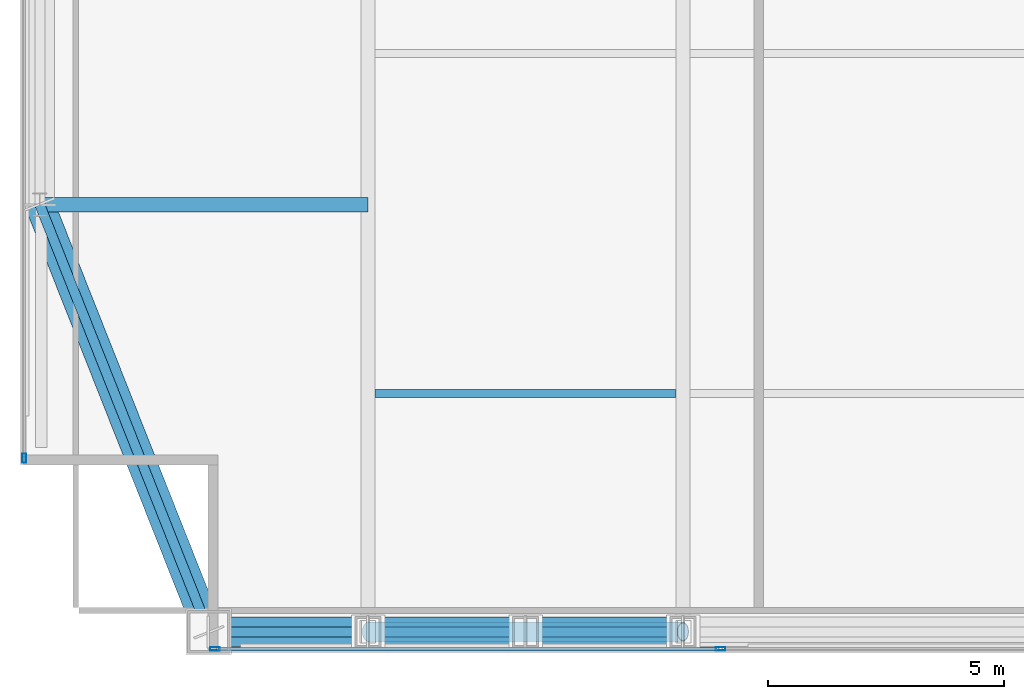
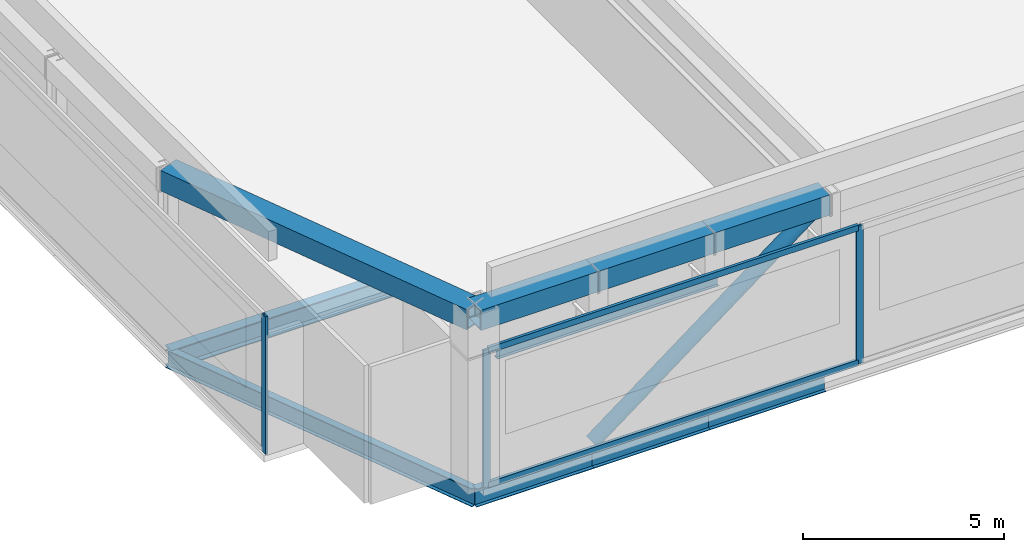
# One storey, part 4 of 24: 10 beams, 6 members, 2 elements without a shape of their own.
"""IFC4 building model written with IfcOpenShell, lengths in metres."""

import ifcopenshell
import ifcopenshell.guid

model = None  # the IFC model being written
_history = None  # IfcOwnerHistory: only IFC2X3 demands one
_inside = {}  # id of a spatial element -> (the spatial element, [elements in it])
_under = {}  # id of a project, library or spatial element -> (it, [spatial elements below it])
_declared = {}  # id of a project -> (the project, [libraries it declares])
_typed = {}  # id of a type object -> (the type object, [elements of that type])
_made_of = {}  # id of a material, layer set ... -> (it, [elements and type objects made of it])


def new_model(schema):
    """Start an empty IFC model of exactly this schema.

    Asked for "IFC4X3", IfcOpenShell would pick the latest addendum, in which some entities
    have other attributes; the version numbers below select the first issue.
    IFC2X3 requires an IfcOwnerHistory on every rooted entity: one is made here for all.
    """
    global model, _history
    if schema == "IFC4X3":
        model = ifcopenshell.file(schema_version=(4, 3, 0, 0))
    else:
        model = ifcopenshell.file(schema=schema)
    _inside.clear()
    _under.clear()
    _declared.clear()
    _typed.clear()
    _made_of.clear()
    _history = None
    if model.schema == "IFC2X3":
        org = make("IfcOrganization", Name="unknown")
        user = make(
            "IfcPersonAndOrganization",
            ThePerson=make("IfcPerson", FamilyName="unknown"),
            TheOrganization=org,
        )
        app = make(
            "IfcApplication",
            ApplicationDeveloper=org,
            Version="unknown",
            ApplicationFullName="unknown",
            ApplicationIdentifier="unknown",
        )
        _history = make(
            "IfcOwnerHistory",
            OwningUser=user,
            OwningApplication=app,
            ChangeAction="ADDED",
            CreationDate=0,
        )
    return model


def make(cls, **values):
    """One entity of the class cls with the attributes given. An attribute that is None is left unset."""
    return model.create_entity(
        cls, **{name: value for name, value in values.items() if value is not None}
    )


def rooted(cls, **values):
    """An entity with a GlobalId (a new one), such as an element, a storey or a relation."""
    return make(cls, GlobalId=ifcopenshell.guid.new(), OwnerHistory=_history, **values)


def si_unit(unit_type, name, prefix=None):
    """IfcSIUnit, for example si_unit("LENGTHUNIT", "METRE", prefix="MILLI")."""
    return make("IfcSIUnit", UnitType=unit_type, Prefix=prefix, Name=name)


def assignment(units):
    """IfcUnitAssignment: the units of a project."""
    return None if units is None else make("IfcUnitAssignment", Units=units)


def point(xyz):
    """IfcCartesianPoint."""
    return None if xyz is None else make("IfcCartesianPoint", Coordinates=xyz)


def direction(xyz):
    """IfcDirection."""
    return None if xyz is None else make("IfcDirection", DirectionRatios=xyz)


def frame(location, z_axis=None, x_axis=None):
    """IfcAxis2Placement3D, a coordinate frame: its origin and axes. An axis left out is left unset."""
    return make(
        "IfcAxis2Placement3D",
        Location=point(location),
        Axis=direction(z_axis),
        RefDirection=direction(x_axis),
    )


def frame_2d(location, x_axis=None):
    """IfcAxis2Placement2D, a coordinate frame in the plane: its origin and x axis."""
    return make(
        "IfcAxis2Placement2D", Location=point(location), RefDirection=direction(x_axis)
    )


def origin():
    """The frame at (0, 0, 0) with its axes left unset."""
    return frame((0.0, 0.0, 0.0))


def origin_2d():
    """The frame at (0, 0) in the plane with its x axis left unset."""
    return frame_2d((0.0, 0.0))


def place(relative_to, where):
    """IfcLocalPlacement: puts the frame where relative to a parent placement (None: the world)."""
    return make(
        "IfcLocalPlacement", PlacementRelTo=relative_to, RelativePlacement=where
    )


def context(
    kind, dimensions, precision=None, world=None, true_north=None, identifier=None
):
    """IfcGeometricRepresentationContext, for example the 3D "Model" context."""
    return make(
        "IfcGeometricRepresentationContext",
        ContextIdentifier=identifier,
        ContextType=kind,
        CoordinateSpaceDimension=dimensions,
        Precision=precision,
        WorldCoordinateSystem=world,
        TrueNorth=true_north,
    )


def subcontext(parent, identifier, kind, view, scale=None):
    """IfcGeometricRepresentationSubContext, for example "Body" below "Model"."""
    return make(
        "IfcGeometricRepresentationSubContext",
        ContextIdentifier=identifier,
        ContextType=kind,
        ParentContext=parent,
        TargetScale=scale,
        TargetView=view,
    )


def project(units=None, contexts=None):
    """IfcProject with its units and contexts."""
    return rooted(
        "IfcProject",
        Name="project",
        RepresentationContexts=contexts,
        UnitsInContext=assignment(units),
    )


def spatial(cls, under=None, at=None, **own):
    """A site, building, storey or space (cls), placed at a placement, below another one or the project."""
    s = rooted(cls, ObjectPlacement=at, **own)
    if under is not None:
        _under.setdefault(under.id(), (under, []))[1].append(s)
    return s


def profile(cls, at=None, kind="AREA", **sizes):
    """A parametric profile (cls). Its sizes go by their IFC names, for example OverallWidth=200.0."""
    return make(cls, ProfileType=kind, Position=at, **sizes)


def hollow_rectangle(**sizes):
    """IfcRectangleHollowProfileDef."""
    return profile("IfcRectangleHollowProfileDef", **sizes)


def hollow_circle(**sizes):
    """IfcCircleHollowProfileDef."""
    return profile("IfcCircleHollowProfileDef", **sizes)


def i_section(**sizes):
    """IfcIShapeProfileDef."""
    return profile("IfcIShapeProfileDef", **sizes)


def extrude(swept, where, along, depth):
    """IfcExtrudedAreaSolid: the profile swept, set in the frame where, extruded along a direction by depth."""
    return make(
        "IfcExtrudedAreaSolid",
        SweptArea=swept,
        Position=where,
        ExtrudedDirection=direction(along),
        Depth=depth,
    )


def shape(context_of_items, identifier, shape_type, items):
    """IfcShapeRepresentation: the items that make up one representation, for example the "Body"."""
    return make(
        "IfcShapeRepresentation",
        ContextOfItems=context_of_items,
        RepresentationIdentifier=identifier,
        RepresentationType=shape_type,
        Items=items,
    )


def material(Name=None, Category=None):
    """IfcMaterial."""
    return make("IfcMaterial", Name=Name, Category=Category)


def material_profile(
    of_material, cross_section, Name=None, Category=None, Priority=None
):
    """IfcMaterialProfile: a cross section and its material."""
    return make(
        "IfcMaterialProfile",
        Name=Name,
        Material=of_material,
        Profile=cross_section,
        Priority=Priority,
        Category=Category,
    )


def profile_set(profiles, Name=None, composite=None):
    """IfcMaterialProfileSet."""
    return make(
        "IfcMaterialProfileSet",
        Name=Name,
        MaterialProfiles=profiles,
        CompositeProfile=composite,
    )


def made_of(thing, what):
    """Note that an element or type object is made of a material, layer set ...; save() writes the relation."""
    if what is not None:
        _made_of.setdefault(what.id(), (what, []))[1].append(thing)
    return thing


def type_object(cls, material=None, **own):
    """A type object (cls), such as IfcWallType, which elements share."""
    return made_of(rooted(cls, **own), material)


def element(
    cls,
    number,
    at=None,
    inside=None,
    cuts=None,
    type_object=None,
    material=None,
    context=None,
    identifier="Body",
    shape_type=None,
    held_by="IfcProductDefinitionShape",
    body=None,
    shapes=None,
    **own,
):
    """One element of the class cls, such as IfcWall. Its Tag is "e" and its number.

    at: its placement. inside: the storey or other place that contains it. cuts: it is an
    opening in that element (IfcRelVoidsElement). A single representation is given by context,
    identifier, shape_type and body (its items); several are given by shapes. held_by: the class
    of the entity that holds the representations. save() writes the other relations.
    """
    e = rooted(cls, Tag="e%d" % number, ObjectPlacement=at, **own)
    if body is not None:
        shapes = [shape(context, identifier, shape_type, body)]
    if shapes is not None:
        e.Representation = make(held_by, Representations=shapes)
    if inside is not None:
        _inside.setdefault(inside.id(), (inside, []))[1].append(e)
    if cuts is not None:
        rooted(
            "IfcRelVoidsElement", RelatingBuildingElement=cuts, RelatedOpeningElement=e
        )
    if type_object is not None:
        _typed.setdefault(type_object.id(), (type_object, []))[1].append(e)
    return made_of(e, material)


def aggregate(whole, parts):
    """IfcRelAggregates: a whole, such as a stair, and the parts it consists of."""
    return rooted("IfcRelAggregates", RelatingObject=whole, RelatedObjects=parts)


def save(model, path):
    """Write the relations noted so far, then the file.

    IfcRelAggregates (storeys below a building ...), IfcRelContainedInSpatialStructure (elements
    in a storey), IfcRelDefinesByType, IfcRelAssociatesMaterial and IfcRelDeclares: one each for
    every whole, place, type object, material and project.
    """
    for whole, parts in _under.values():
        aggregate(whole, parts)
    for where, things in _inside.values():
        rooted(
            "IfcRelContainedInSpatialStructure",
            RelatedElements=things,
            RelatingStructure=where,
        )
    for kind, things in _typed.values():
        rooted("IfcRelDefinesByType", RelatedObjects=things, RelatingType=kind)
    for what, things in _made_of.values():
        rooted("IfcRelAssociatesMaterial", RelatedObjects=things, RelatingMaterial=what)
    for by, libraries in _declared.values():
        rooted("IfcRelDeclares", RelatingContext=by, RelatedDefinitions=libraries)
    model.write(path)


model = new_model("IFC4")

# Units and contexts
model_context = context("Model", 3, precision=1e-05, world=origin(), true_north=direction((0.0, 1.0)))
body_context = subcontext(model_context, "Body", "Model", "MODEL_VIEW")
ifc_project = project(units=[si_unit("LENGTHUNIT", "METRE"), si_unit("AREAUNIT", "SQUARE_METRE"), si_unit("VOLUMEUNIT", "CUBIC_METRE"), si_unit("PLANEANGLEUNIT", "RADIAN"), si_unit("MASSUNIT", "GRAM", prefix="KILO")], contexts=[model_context])

# Site, building, storey
site_placement = place(None, origin())
site = spatial("IfcSite", under=ifc_project, at=site_placement, CompositionType="ELEMENT")
building_placement = place(site_placement, origin())
building = spatial("IfcBuilding", under=site, at=building_placement, Name="Khoronbel Lancet Exchange", CompositionType="ELEMENT")
storey_placement = place(building_placement, frame((0.0, 0.0, 378.60009765625)))
storey = spatial("IfcBuildingStorey", under=building, at=storey_placement, Name="L96", CompositionType="ELEMENT", Elevation=378.60009765625)

# Beams
ifc_material_1 = material(Name="Steel S355", Category="steel")
ifc_material_profile_1 = material_profile(ifc_material_1, i_section(OverallWidth=0.300048828125, OverallDepth=0.60009765625, WebThickness=0.015380859375, FlangeThickness=0.030029296875, at=origin_2d()), Name="HEB 600")
ifc_profile_set_1 = profile_set([ifc_material_profile_1], Name="Steel S355")
beam_type_1 = type_object("IfcBeamType", Name="BM-BG5", PredefinedType="BEAM", material=ifc_profile_set_1)
beam_1_placement = place(storey_placement, frame((11.27001953125, 19.199951171875, -0.5), z_axis=(1.0, 0.0, 0.0), x_axis=(0.0, 1.0, 0.0)))
element("IfcBeam", 1, at=beam_1_placement, inside=storey, type_object=beam_type_1, Name="Level L96 west lens tie girder LG1W", PredefinedType="BEAM", context=body_context, shape_type="SweptSolid", body=[
    extrude(i_section(OverallWidth=0.300048828125, OverallDepth=0.60009765625, WebThickness=0.015380859375, FlangeThickness=0.030029296875, at=origin_2d()), origin(), (0.0, 0.0, 1.0), 6.955078125),
])
ifc_material_profile_2 = material_profile(ifc_material_1, i_section(OverallWidth=0.169921875, OverallDepth=0.360107421875, WebThickness=0.008056640625, FlangeThickness=0.0126953125, at=origin_2d()), Name="IPE 360")
ifc_profile_set_2 = profile_set([ifc_material_profile_2], Name="Steel S355")
beam_type_2 = type_object("IfcBeamType", Name="BM-BJ6", PredefinedType="JOIST", material=ifc_profile_set_2)
beam_2_placement = place(storey_placement, frame((18.375, 15.199951171875, -0.380126953125), z_axis=(1.0, 0.0, 0.0), x_axis=(0.0, 1.0, 0.0)))
element("IfcBeam", 2, at=beam_2_placement, inside=storey, type_object=beam_type_2, Name="Level L96 secondary composite joist J01", PredefinedType="JOIST", context=body_context, shape_type="SweptSolid", body=[
    extrude(i_section(OverallWidth=0.169921875, OverallDepth=0.360107421875, WebThickness=0.008056640625, FlangeThickness=0.0126953125, at=origin_2d()), origin(), (0.0, 0.0, 1.0), 6.375),
])
ifc_material_profile_3 = material_profile(ifc_material_1, i_section(OverallWidth=0.2099609375, OverallDepth=0.550048828125, WebThickness=0.010986328125, FlangeThickness=0.01708984375, at=origin_2d()), Name="IPE 550")
ifc_profile_set_3 = profile_set([ifc_material_profile_3], Name="Steel S355")
beam_type_3 = type_object("IfcBeamType", Name="BM-BSP3", PredefinedType="SPANDREL", material=ifc_profile_set_3)
beam_3_placement = place(storey_placement, frame((14.85009765625, 10.14990234375, -0.47509765625), z_axis=(1.0, 0.0, 0.0), x_axis=(0.0, 1.0, 0.0)))
element("IfcBeam", 3, at=beam_3_placement, inside=storey, type_object=beam_type_3, Name="Level L96 perimeter spandrel beam SP01", PredefinedType="SPANDREL", context=body_context, shape_type="SweptSolid", body=[
    extrude(i_section(OverallWidth=0.2099609375, OverallDepth=0.550048828125, WebThickness=0.010986328125, FlangeThickness=0.01708984375, at=origin_2d()), origin(), (0.0, 0.0, 1.0), 3.375),
])
for number, where, z_axis, x_axis, name in (
    (4, (18.22509765625, 10.14990234375, -0.47509765625), (1.0, 0.0, 0.0), (0.0, 1.0, 0.0), "Level L96 perimeter spandrel beam SP02"),
    (5, (21.5625, 10.14990234375, -0.47509765625), (1.0, 0.0, 0.0), (0.0, 1.0, 0.0), "Level L96 perimeter spandrel beam SP03"),
):
    element("IfcBeam", number, at=place(storey_placement, frame(where, z_axis=z_axis, x_axis=x_axis)), inside=storey, type_object=beam_type_3, Name=name, PredefinedType="SPANDREL", context=body_context, shape_type="SweptSolid", body=[
        extrude(i_section(OverallWidth=0.2099609375, OverallDepth=0.550048828125, WebThickness=0.010986328125, FlangeThickness=0.01708984375, at=origin_2d()), origin(), (0.0, 0.0, 1.0), 3.33740234375),
    ])
beam_4_placement = place(storey_placement, frame((11.27001953125, 19.199951171875, -0.47509765625), z_axis=(0.367850095026, -0.92988510451, 0.0), x_axis=(0.92988510451, 0.367850095026, 0.0)))
element("IfcBeam", 6, at=beam_4_placement, inside=storey, type_object=beam_type_3, Name="Level L96 perimeter spandrel beam SP19", PredefinedType="SPANDREL", context=body_context, shape_type="SweptSolid", body=[
    extrude(i_section(OverallWidth=0.2099609375, OverallDepth=0.550048828125, WebThickness=0.010986328125, FlangeThickness=0.01708984375, at=origin_2d()), origin(), (0.0, 0.0, 1.0), 9.732421875),
])
ifc_material_profile_4 = material_profile(ifc_material_1, hollow_rectangle(XDim=0.6201171875, YDim=0.6201171875, WallThickness=0.0400390625, at=origin_2d()), Name="BOX 620x620x40")
ifc_profile_set_4 = profile_set([ifc_material_profile_4], Name="Steel S355")
beam_type_4 = type_object("IfcBeamType", Name="BM-RB1", PredefinedType="USERDEFINED", material=ifc_profile_set_4)
beam_5_placement = place(storey_placement, frame((14.85009765625, 10.14990234375, 5.0498046875), z_axis=(1.0, 0.0, 0.0), x_axis=(0.0, 1.0, 0.0)))
element("IfcBeam", 7, at=beam_5_placement, inside=storey, type_object=beam_type_4, Name="CROWN FRAME top ring cap beam RB01", ObjectType="RING BEAM", PredefinedType="USERDEFINED", context=body_context, shape_type="SweptSolid", body=[
    extrude(hollow_rectangle(XDim=0.6201171875, YDim=0.6201171875, WallThickness=0.0400390625, at=origin_2d()), origin(), (0.0, 0.0, 1.0), 3.375),
])
for number, where, z_axis, x_axis, name in (
    (8, (18.22509765625, 10.14990234375, 5.0498046875), (1.0, 0.0, 0.0), (0.0, 1.0, 0.0), "CROWN FRAME top ring cap beam RB02"),
    (9, (21.5625, 10.14990234375, 5.0498046875), (1.0, 0.0, 0.0), (0.0, 1.0, 0.0), "CROWN FRAME top ring cap beam RB03"),
):
    element("IfcBeam", number, at=place(storey_placement, frame(where, z_axis=z_axis, x_axis=x_axis)), inside=storey, type_object=beam_type_4, Name=name, ObjectType="RING BEAM", PredefinedType="USERDEFINED", context=body_context, shape_type="SweptSolid", body=[
        extrude(hollow_rectangle(XDim=0.6201171875, YDim=0.6201171875, WallThickness=0.0400390625, at=origin_2d()), origin(), (0.0, 0.0, 1.0), 3.33740234375),
    ])
beam_6_placement = place(storey_placement, frame((11.27001953125, 19.199951171875, 5.0498046875), z_axis=(0.367850095026, -0.92988510451, 0.0), x_axis=(0.92988510451, 0.367850095026, 0.0)))
element("IfcBeam", 10, at=beam_6_placement, inside=storey, type_object=beam_type_4, Name="CROWN FRAME top ring cap beam RB21", ObjectType="RING BEAM", PredefinedType="USERDEFINED", context=body_context, shape_type="SweptSolid", body=[
    extrude(hollow_rectangle(XDim=0.6201171875, YDim=0.6201171875, WallThickness=0.0400390625, at=origin_2d()), origin(), (0.0, 0.0, 1.0), 9.732421875),
])

# Curtain wall, member
ifc_material_2 = material(Name="Low-E Solar Control Insulating Glass", Category="glass")
curtain_wall_type = type_object("IfcCurtainWallType", Name="CW-6", PredefinedType="NOTDEFINED", material=ifc_material_2)
curtain_wall_1_placement = place(storey_placement, origin())
curtain_wall_1 = element("IfcCurtainWall", 11, at=curtain_wall_1_placement, inside=storey, type_object=curtain_wall_type, Name="Unitised curtain wall CW-L96-E03", PredefinedType="NOTDEFINED")
ifc_material_3 = material(Name="Bronze-Anodised Aluminium 6063-T6", Category="aluminium")
ifc_material_profile_5 = material_profile(ifc_material_3, hollow_rectangle(XDim=0.074951171875, YDim=0.199951171875, WallThickness=0.0048828125, at=origin_2d()), Name="ALU MULLION 75x200")
ifc_profile_set_5 = profile_set([ifc_material_profile_5], Name="Bronze-Anodised Aluminium 6063-T6")
member_type_1 = type_object("IfcMemberType", Name="MEM-CWM2", PredefinedType="MULLION", material=ifc_profile_set_5)
member_1_placement = place(storey_placement, frame((10.93994140625, 13.827392578125, 0.0), z_axis=(0.0, 0.0, 1.0), x_axis=(-1.0, 0.0, 0.0)))
member_1 = element("IfcMember", 12, at=member_1_placement, type_object=member_type_1, Name="CW6 mullion 1", PredefinedType="MULLION", context=body_context, shape_type="SweptSolid", body=[
    extrude(hollow_rectangle(XDim=0.074951171875, YDim=0.199951171875, WallThickness=0.0048828125, at=origin_2d()), origin(), (0.0, 0.0, 1.0), 4.179931640625),
])
aggregate(curtain_wall_1, [member_1])

# Curtain wall, members
curtain_wall_2_placement = place(storey_placement, origin())
curtain_wall_2 = element("IfcCurtainWall", 13, at=curtain_wall_2_placement, inside=storey, type_object=curtain_wall_type, Name="Unitised curtain wall CW-L96-E12", PredefinedType="NOTDEFINED")
member_2_placement = place(storey_placement, frame((25.695068359375, 9.7900390625, 0.0), z_axis=(0.0, 0.0, 1.0), x_axis=(0.0, -1.0, 0.0)))
member_2 = element("IfcMember", 14, at=member_2_placement, type_object=member_type_1, Name="CW6 mullion 4", PredefinedType="MULLION", context=body_context, shape_type="SweptSolid", body=[
    extrude(hollow_rectangle(XDim=0.074951171875, YDim=0.199951171875, WallThickness=0.0048828125, at=origin_2d()), origin(), (0.0, 0.0, 1.0), 4.179931640625),
])
member_3_placement = place(storey_placement, frame((14.9775390625, 9.7900390625, 0.0), z_axis=(0.0, 0.0, 1.0), x_axis=(0.0, -1.0, 0.0)))
member_3 = element("IfcMember", 15, at=member_3_placement, type_object=member_type_1, Name="CW6 mullion 5", PredefinedType="MULLION", context=body_context, shape_type="SweptSolid", body=[
    extrude(hollow_rectangle(XDim=0.074951171875, YDim=0.199951171875, WallThickness=0.0048828125, at=origin_2d()), origin(), (0.0, 0.0, 1.0), 4.179931640625),
])
ifc_material_profile_6 = material_profile(ifc_material_3, hollow_rectangle(XDim=0.0849609375, YDim=0.179931640625, WallThickness=0.0048828125, at=origin_2d()), Name="ALU TRANSOM 85x180")
ifc_profile_set_6 = profile_set([ifc_material_profile_6], Name="Bronze-Anodised Aluminium 6063-T6")
member_type_2 = type_object("IfcMemberType", Name="MEM-CWT1", PredefinedType="USERDEFINED", material=ifc_profile_set_6)
member_4_placement = place(storey_placement, frame((25.657470703125, 9.7900390625, 0.04248046875), z_axis=(-1.0, 0.0, 0.0), x_axis=(0.0, -1.0, 0.0)))
member_4 = element("IfcMember", 16, at=member_4_placement, type_object=member_type_2, Name="CW6 transom 4.1", ObjectType="TRANSOM", PredefinedType="USERDEFINED", context=body_context, shape_type="SweptSolid", body=[
    extrude(hollow_rectangle(XDim=0.0849609375, YDim=0.179931640625, WallThickness=0.0048828125, at=origin_2d()), origin(), (0.0, 0.0, 1.0), 10.642578125),
])
member_5_placement = place(storey_placement, frame((25.657470703125, 9.7900390625, 4.137451171875), z_axis=(-1.0, 0.0, 0.0), x_axis=(0.0, -1.0, 0.0)))
member_5 = element("IfcMember", 17, at=member_5_placement, type_object=member_type_2, Name="CW6 transom 4.2", ObjectType="TRANSOM", PredefinedType="USERDEFINED", context=body_context, shape_type="SweptSolid", body=[
    extrude(hollow_rectangle(XDim=0.0849609375, YDim=0.179931640625, WallThickness=0.0048828125, at=origin_2d()), origin(), (0.0, 0.0, 1.0), 10.642578125),
])
aggregate(curtain_wall_2, [member_2, member_3, member_4, member_5])

# Member
ifc_material_profile_7 = material_profile(ifc_material_1, hollow_circle(Radius=0.203125, WallThickness=0.02001953125, at=origin_2d()), Name="CHS 406.4x20")
ifc_profile_set_7 = profile_set([ifc_material_profile_7], Name="Steel S355")
member_type_3 = type_object("IfcMemberType", Name="MEM-STR2", PredefinedType="STRUT", material=ifc_profile_set_7)
member_6_placement = place(storey_placement, frame((18.22509765625, 10.14990234375, 0.0), z_axis=(0.797486800518, 0.0, 0.603336392901), x_axis=(0.0, 1.0, 0.0)))
element("IfcMember", 18, at=member_6_placement, inside=storey, type_object=member_type_3, Name="CROWN FRAME diagonal ring brace L96-S1", PredefinedType="STRUT", context=body_context, shape_type="SweptSolid", body=[
    extrude(hollow_circle(Radius=0.203125, WallThickness=0.02001953125, at=origin_2d()), origin(), (0.0, 0.0, 1.0), 8.369873046875),
])

save(model, "model.ifc")
